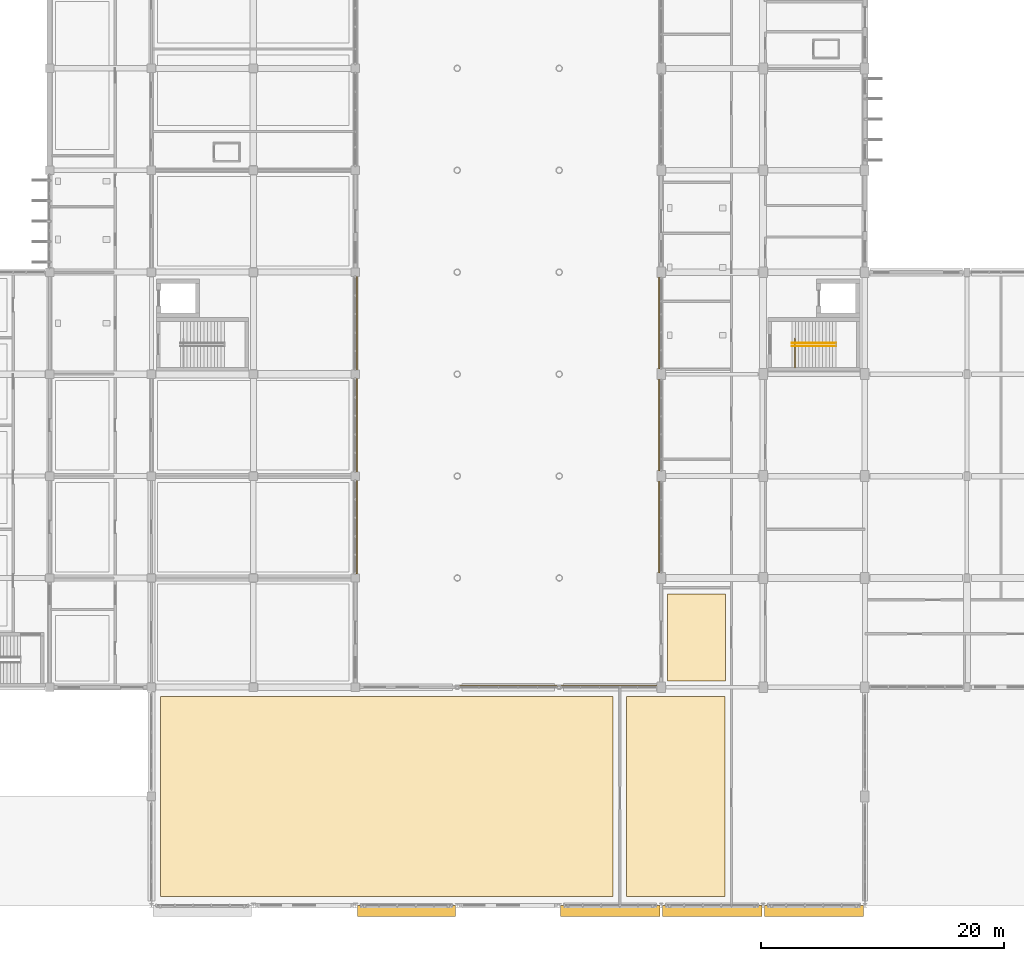
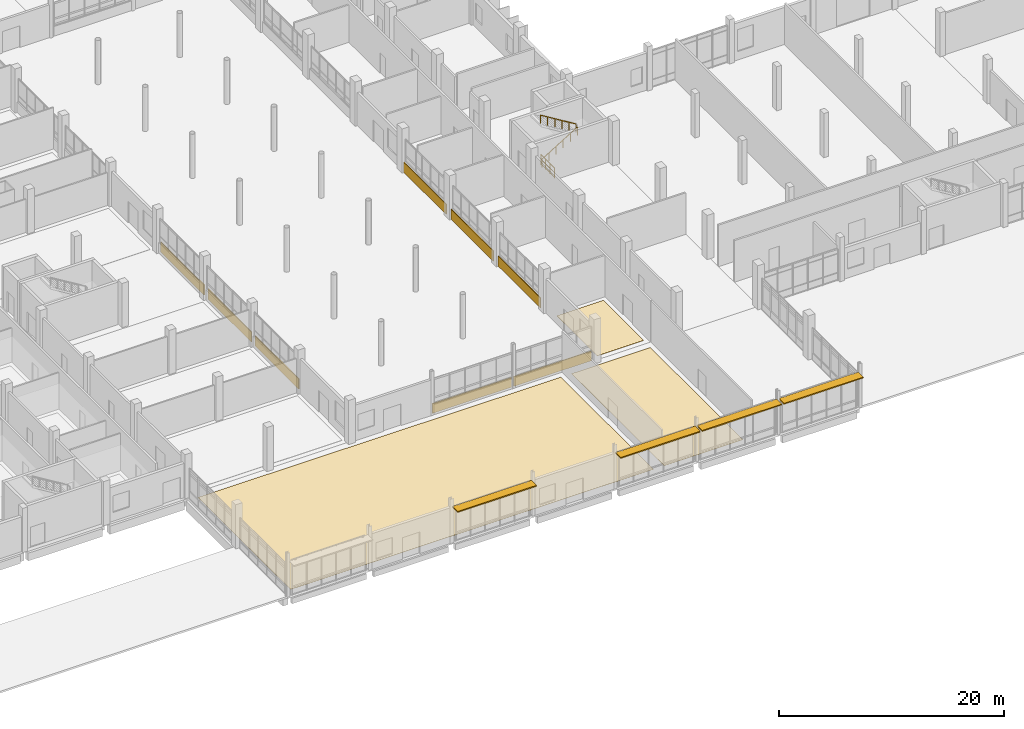
# One storey, part 90 of 95: 11 coverings, 4 shading devices, 3 railings.
"""IFC4 building model written with IfcOpenShell, lengths in metres."""

from ifc_helpers import new_model, si_unit, direction, frame, origin, origin_2d, place, context, subcontext, project, spatial, polyline, rectangle, circle, outline, extrude, material, layer, layer_set, type_object, element, save


model = new_model("IFC4")

# Units and contexts
model_context = context("Model", 3, precision=1e-05, world=origin(), true_north=direction((0.0, 1.0)))
body_context = subcontext(model_context, "Body", "Model", "MODEL_VIEW")
ifc_project = project(units=[si_unit("LENGTHUNIT", "METRE"), si_unit("AREAUNIT", "SQUARE_METRE"), si_unit("VOLUMEUNIT", "CUBIC_METRE"), si_unit("PLANEANGLEUNIT", "RADIAN"), si_unit("MASSUNIT", "GRAM", prefix="KILO")], contexts=[model_context])

# Site, building, storey
site_placement = place(None, origin())
site = spatial("IfcSite", under=ifc_project, at=site_placement, CompositionType="ELEMENT")
building_placement = place(site_placement, origin())
building = spatial("IfcBuilding", under=site, at=building_placement, Name="Vireocrest Preparatory School", CompositionType="ELEMENT")
storey_placement = place(building_placement, origin())
storey = spatial("IfcBuildingStorey", under=building, at=storey_placement, Name="L00", CompositionType="ELEMENT", Elevation=0.0)

# Shading devices
ifc_material_1 = material(Name="Warm anodised aluminium EN AW-6063-T6", Category="aluminium")
shading_device_type = type_object("IfcShadingDeviceType", Name="Horizontal Storefront Sunshade Canopy Louvres 900", PredefinedType="JALOUSIE", material=ifc_material_1)
shading_device_1_placement = place(storey_placement, frame((71.416015625, -0.449951171875, 3.697021484375), z_axis=(0.0, 0.0, 1.0), x_axis=(1.0, 0.0, 0.0)))
element("IfcShadingDevice", 1, at=shading_device_1_placement, inside=storey, type_object=shading_device_type, Name="Storefront Sunshade SS1-014", PredefinedType="JALOUSIE", context=body_context, shape_type="SweptSolid", body=[
    extrude(rectangle(XDim=8.113037109375, YDim=0.89990234375, at=origin_2d()), origin(), (0.0, 0.0, 1.0), 0.1201171875),
])
shading_device_2_placement = place(storey_placement, frame((88.212158203125, -0.449951171875, 3.697021484375), z_axis=(0.0, 0.0, 1.0), x_axis=(1.0, 0.0, 0.0)))
element("IfcShadingDevice", 2, at=shading_device_2_placement, inside=storey, type_object=shading_device_type, Name="Storefront Sunshade SS1-015", PredefinedType="JALOUSIE", context=body_context, shape_type="SweptSolid", body=[
    extrude(rectangle(XDim=8.16943359375, YDim=0.89990234375, at=origin_2d()), origin(), (0.0, 0.0, 1.0), 0.1201171875),
])
shading_device_3_placement = place(storey_placement, frame((96.60009765625, -0.449951171875, 3.697021484375), z_axis=(0.0, 0.0, 1.0), x_axis=(1.0, 0.0, 0.0)))
element("IfcShadingDevice", 3, at=shading_device_3_placement, inside=storey, type_object=shading_device_type, Name="Storefront Sunshade SS1-016", PredefinedType="JALOUSIE", context=body_context, shape_type="SweptSolid", body=[
    extrude(rectangle(XDim=8.194091796875, YDim=0.89990234375, at=origin_2d()), origin(), (0.0, 0.0, 1.0), 0.1201171875),
])
shading_device_4_placement = place(storey_placement, frame((104.98779296875, -0.449951171875, 3.697021484375), z_axis=(0.0, 0.0, 1.0), x_axis=(1.0, 0.0, 0.0)))
element("IfcShadingDevice", 4, at=shading_device_4_placement, inside=storey, type_object=shading_device_type, Name="Storefront Sunshade SS1-017", PredefinedType="JALOUSIE", context=body_context, shape_type="SweptSolid", body=[
    extrude(rectangle(XDim=8.16943359375, YDim=0.89990234375, at=origin_2d()), origin(), (0.0, 0.0, 1.0), 0.1201171875),
])

# Railings
ifc_material_2 = material(Name="Brushed stainless steel AISI 316", Category="steel")
railing_type_1 = type_object("IfcRailingType", Name="Post-and-Rail Guard Balustrade 1120", PredefinedType="BALUSTRADE", material=ifc_material_2)
railing_1_placement = place(storey_placement, frame((103.425048828125, 44.35009765625, 0.0)))
element("IfcRailing", 5, at=railing_1_placement, inside=storey, type_object=railing_type_1, Name="Arrival Landing Guard ST2-B01", PredefinedType="BALUSTRADE", context=body_context, shape_type="SweptSolid", body=[
    extrude(circle(Radius=0.02392578125, at=origin_2d()), frame((0.0, 0.0, 1.09619140625), z_axis=(0.0, 1.0, 0.0), x_axis=(-1.0, 0.0, 0.0)), (0.0, 0.0, 1.0), 2.369873046875),
    extrude(circle(Radius=0.01806640625, at=origin_2d()), frame((0.0, 0.0, 0.56005859375), z_axis=(0.0, 1.0, 0.0), x_axis=(-1.0, 0.0, 0.0)), (0.0, 0.0, 1.0), 2.369873046875),
    extrude(circle(Radius=0.01806640625, at=origin_2d()), frame((0.0, 0.0, 0.10009765625), z_axis=(0.0, 1.0, 0.0), x_axis=(-1.0, 0.0, 0.0)), (0.0, 0.0, 1.0), 2.369873046875),
    extrude(circle(Radius=0.02099609375, at=origin_2d()), origin(), (0.0, 0.0, 1.0), 1.072021484375),
    extrude(circle(Radius=0.02099609375, at=origin_2d()), frame((0.0, 0.7900390625, 0.0)), (0.0, 0.0, 1.0), 1.072021484375),
    extrude(circle(Radius=0.02099609375, at=origin_2d()), frame((0.0, 1.579833984375, 0.0)), (0.0, 0.0, 1.0), 1.072021484375),
    extrude(circle(Radius=0.02099609375, at=origin_2d()), frame((0.0, 2.369873046875, 0.0)), (0.0, 0.0, 1.0), 1.072021484375),
])
railing_type_2 = type_object("IfcRailingType", Name="Stair Pitch Handrail 900", PredefinedType="HANDRAIL", material=ifc_material_2)
railing_2_placement = place(storey_placement, frame((103.179931640625, 46.1298828125, 0.17138671875)))
element("IfcRailing", 6, at=railing_2_placement, inside=storey, type_object=railing_type_2, Name="Stair Handrail ST2-L00-HR1", PredefinedType="HANDRAIL", context=body_context, shape_type="SweptSolid", body=[
    extrude(circle(Radius=0.02392578125, at=origin_2d()), frame((0.0, 0.0, 0.8759765625), z_axis=(0.852865859571, 0.0, 0.52213008492), x_axis=(0.0, 1.0, 0.0)), (0.0, 0.0, 1.0), 4.26806640625),
    extrude(circle(Radius=0.02099609375, at=origin_2d()), origin(), (0.0, 0.0, 1.0), 0.851806640625),
    extrude(circle(Radius=0.02099609375, at=origin_2d()), frame((0.72802734375, 0.0, 0.44580078125)), (0.0, 0.0, 1.0), 0.851806640625),
    extrude(circle(Radius=0.02099609375, at=origin_2d()), frame((1.4560546875, 0.0, 0.891357421875)), (0.0, 0.0, 1.0), 0.851806640625),
    extrude(circle(Radius=0.02099609375, at=origin_2d()), frame((2.18408203125, 0.0, 1.337158203125)), (0.0, 0.0, 1.0), 0.851806640625),
    extrude(circle(Radius=0.02099609375, at=origin_2d()), frame((2.912109375, 0.0, 1.78271484375)), (0.0, 0.0, 1.0), 0.851806640625),
    extrude(circle(Radius=0.02099609375, at=origin_2d()), frame((3.64013671875, 0.0, 2.228515625)), (0.0, 0.0, 1.0), 0.851806640625),
])
railing_3_placement = place(storey_placement, frame((106.820068359375, 46.3701171875, 2.5712890625)))
element("IfcRailing", 7, at=railing_3_placement, inside=storey, type_object=railing_type_2, Name="Stair Handrail ST2-L00-HR2", PredefinedType="HANDRAIL", context=body_context, shape_type="SweptSolid", body=[
    extrude(circle(Radius=0.02392578125, at=origin_2d()), frame((0.0, 0.0, 0.8759765625), z_axis=(-0.852840387347, 0.0, 0.522171689878), x_axis=(0.0, -1.0, 0.0)), (0.0, 0.0, 1.0), 4.268310546875),
    extrude(circle(Radius=0.02099609375, at=origin_2d()), origin(), (0.0, 0.0, 1.0), 0.851806640625),
    extrude(circle(Radius=0.02099609375, at=origin_2d()), frame((-0.72802734375, 0.0, 0.44580078125)), (0.0, 0.0, 1.0), 0.851806640625),
    extrude(circle(Radius=0.02099609375, at=origin_2d()), frame((-1.4560546875, 0.0, 0.8916015625)), (0.0, 0.0, 1.0), 0.851806640625),
    extrude(circle(Radius=0.02099609375, at=origin_2d()), frame((-2.18408203125, 0.0, 1.337158203125)), (0.0, 0.0, 1.0), 0.851806640625),
    extrude(circle(Radius=0.02099609375, at=origin_2d()), frame((-2.912109375, 0.0, 1.782958984375)), (0.0, 0.0, 1.0), 0.851806640625),
    extrude(circle(Radius=0.02099609375, at=origin_2d()), frame((-3.64013671875, 0.0, 2.228759765625)), (0.0, 0.0, 1.0), 0.851806640625),
])

# Coverings
ifc_material_3 = material(Name="Polished epoxy terrazzo flooring")
ifc_layer_1 = layer(ifc_material_3, 0.02001953125)
ifc_layer_set_1 = layer_set([ifc_layer_1], Name="Polished epoxy terrazzo flooring")
covering_type_1 = type_object("IfcCoveringType", Name="Terrazzo Concourse Flooring", PredefinedType="FLOORING", material=ifc_layer_set_1)
covering_1_placement = place(storey_placement, origin())
element("IfcCovering", 8, at=covering_1_placement, inside=storey, type_object=covering_type_1, Name="Flooring FL1 L00-ELW01", PredefinedType="FLOORING", context=body_context, shape_type="SweptSolid", body=[
    extrude(outline(polyline([(92.909912109375, 18.510009765625), (97.68994140625, 18.510009765625), (97.68994140625, 25.68994140625), (92.909912109375, 25.68994140625), (92.909912109375, 18.510009765625)])), origin(), (0.0, 0.0, 1.0), 0.02001953125),
])
covering_2_placement = place(storey_placement, origin())
element("IfcCovering", 9, at=covering_2_placement, inside=storey, type_object=covering_type_1, Name="Flooring FL1 L00-DN01", PredefinedType="FLOORING", context=body_context, shape_type="SweptSolid", body=[
    extrude(outline(polyline([(51.14990234375, 0.75), (88.449951171875, 0.75), (88.449951171875, 17.25), (51.14990234375, 17.25), (51.14990234375, 0.75)])), origin(), (0.0, 0.0, 1.0), 0.02001953125),
])
covering_3_placement = place(storey_placement, origin())
element("IfcCovering", 10, at=covering_3_placement, inside=storey, type_object=covering_type_1, Name="Flooring FL1 L00-DN02", PredefinedType="FLOORING", context=body_context, shape_type="SweptSolid", body=[
    extrude(outline(polyline([(89.550048828125, 0.75), (97.64990234375, 0.75), (97.64990234375, 17.25), (89.550048828125, 17.25), (89.550048828125, 0.75)])), origin(), (0.0, 0.0, 1.0), 0.02001953125),
])
ifc_material_4 = material(Name="Painted white aluminium cladding EN AW-6063-T6", Category="aluminium")
ifc_layer_2 = layer(ifc_material_4, 0.044921875)
ifc_layer_set_2 = layer_set([ifc_layer_2], Name="Painted white aluminium cladding EN AW-6063-T6")
covering_type_2 = type_object("IfcCoveringType", Name="White High-Tech Horizontal Spandrel Cladding Band", PredefinedType="CLADDING", material=ifc_layer_set_2)
for number, where, z_axis, x_axis, name in (
    (11, (67.3349609375, 31.199951171875, 0.030029296875), (0.0, 0.0, 1.0), (1.0, 0.0, 0.0), "White Court Spandrel Band L00-0114"),
    (12, (67.3349609375, 39.60009765625, 0.030029296875), (0.0, 0.0, 1.0), (1.0, 0.0, 0.0), "White Court Spandrel Band L00-0115"),
    (13, (67.3349609375, 48.0, 0.030029296875), (0.0, 0.0, 1.0), (1.0, 0.0, 0.0), "White Court Spandrel Band L00-0116"),
):
    element("IfcCovering", number, at=place(storey_placement, frame(where, z_axis=z_axis, x_axis=x_axis)), inside=storey, type_object=covering_type_2, Name=name, PredefinedType="CLADDING", context=body_context, shape_type="SweptSolid", body=[
        extrude(rectangle(XDim=0.0849609375, YDim=7.75, at=origin_2d()), origin(), (0.0, 0.0, 1.0), 1.10009765625),
    ])
for number, where, z_axis, x_axis, name in (
    (14, (92.264892578125, 31.199951171875, 0.030029296875), (0.0, 0.0, 1.0), (1.0, 0.0, 0.0), "White Court Spandrel Band L00-0125"),
    (15, (92.264892578125, 39.60009765625, 0.030029296875), (0.0, 0.0, 1.0), (1.0, 0.0, 0.0), "White Court Spandrel Band L00-0126"),
    (16, (92.264892578125, 48.0, 0.030029296875), (0.0, 0.0, 1.0), (1.0, 0.0, 0.0), "White Court Spandrel Band L00-0127"),
):
    element("IfcCovering", number, at=place(storey_placement, frame(where, z_axis=z_axis, x_axis=x_axis)), inside=storey, type_object=covering_type_2, Name=name, PredefinedType="CLADDING", context=body_context, shape_type="SweptSolid", body=[
        extrude(rectangle(XDim=0.0849609375, YDim=7.550048828125, at=origin_2d()), origin(), (0.0, 0.0, 1.0), 1.10009765625),
    ])
covering_4_placement = place(storey_placement, frame((79.800048828125, 18.135009765625, 0.02490234375), z_axis=(0.0, 0.0, 1.0), x_axis=(1.0, 0.0, 0.0)))
element("IfcCovering", 17, at=covering_4_placement, inside=storey, type_object=covering_type_2, Name="White Court Band Cladding L00-0133", PredefinedType="CLADDING", context=body_context, shape_type="SweptSolid", body=[
    extrude(rectangle(XDim=8.145263671875, YDim=0.0849609375, at=origin_2d()), origin(), (0.0, 0.0, 1.0), 1.050048828125),
])
covering_5_placement = place(storey_placement, frame((88.101318359375, 18.135009765625, 0.02490234375), z_axis=(0.0, 0.0, 1.0), x_axis=(1.0, 0.0, 0.0)))
element("IfcCovering", 18, at=covering_5_placement, inside=storey, type_object=covering_type_2, Name="White Court Band Cladding L00-0134", PredefinedType="CLADDING", context=body_context, shape_type="SweptSolid", body=[
    extrude(rectangle(XDim=7.947509765625, YDim=0.0849609375, at=origin_2d()), origin(), (0.0, 0.0, 1.0), 1.050048828125),
])

save(model, "model.ifc")
